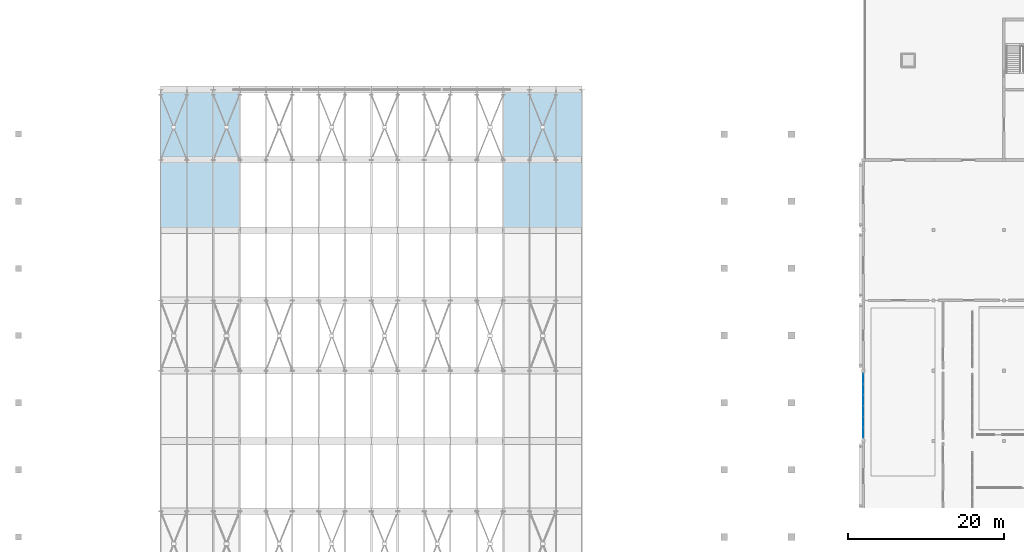
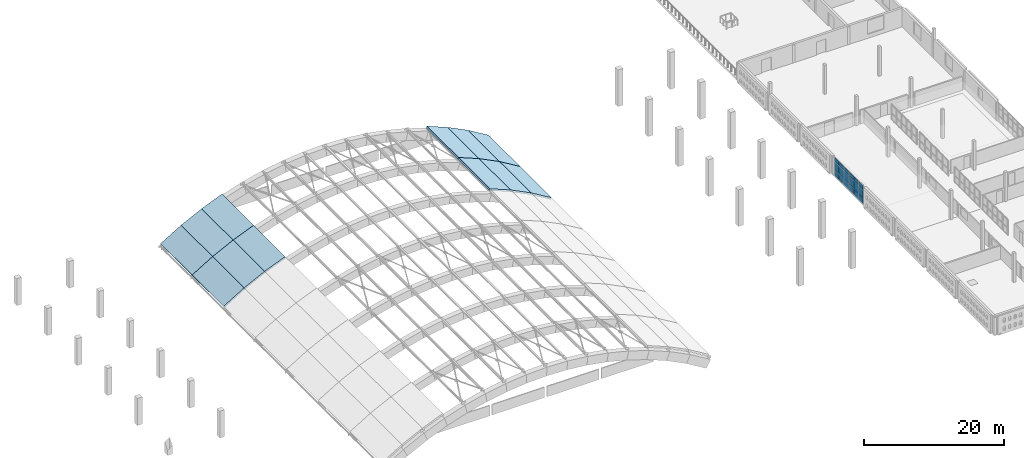
# One storey, part 16 of 30: 18 plates, 12 slabs, 1 element without a shape of its own.
"""IFC4 building model written with IfcOpenShell, lengths in metres."""

from ifc_helpers import new_model, si_unit, direction, frame, origin, origin_2d, place, context, subcontext, project, spatial, polyline, rectangle, outline, extrude, material, layer, layer_set, type_object, element, aggregate, save


model = new_model("IFC4")

# Units and contexts
model_context = context("Model", 3, precision=1e-05, world=origin(), true_north=direction((0.0, 1.0)))
body_context = subcontext(model_context, "Body", "Model", "MODEL_VIEW")
ifc_project = project(units=[si_unit("LENGTHUNIT", "METRE"), si_unit("AREAUNIT", "SQUARE_METRE"), si_unit("VOLUMEUNIT", "CUBIC_METRE"), si_unit("PLANEANGLEUNIT", "RADIAN"), si_unit("MASSUNIT", "GRAM", prefix="KILO")], contexts=[model_context])

# Site, building, storey
site_placement = place(None, origin())
site = spatial("IfcSite", under=ifc_project, at=site_placement, CompositionType="ELEMENT")
building_placement = place(site_placement, origin())
building = spatial("IfcBuilding", under=site, at=building_placement, Name="Ornek Quay Market", CompositionType="ELEMENT")
storey_placement = place(building_placement, frame((0.0, 0.0, 12.0)))
storey = spatial("IfcBuildingStorey", under=building, at=storey_placement, Name="L03", CompositionType="ELEMENT", Elevation=12.0)

# Curtain wall, plates
ifc_material_1 = material(Name="Anodised bronze aluminium and triple low-e glass", Category="aluminium")
ifc_layer_1 = layer(ifc_material_1, 0.18994140625, Name="Anodised bronze aluminium and triple low-e glass", Category="aluminium")
ifc_layer_set_1 = layer_set([ifc_layer_1], Name="Anodised bronze aluminium and triple low-e glass")
curtain_wall_type = type_object("IfcCurtainWallType", Name="CW-FC-MOD1500", PredefinedType="USERDEFINED", material=ifc_layer_set_1)
curtain_wall_placement = place(storey_placement, origin())
curtain_wall = element("IfcCurtainWall", 1, at=curtain_wall_placement, inside=storey, type_object=curtain_wall_type, Name="Curtain wall CW-095", ObjectType="CURTAIN WALL", PredefinedType="USERDEFINED")
ifc_material_2 = material(Name="Triple insulated low-e glass", Category="glass")
ifc_layer_2 = layer(ifc_material_2, 0.035888671875, Name="Triple insulated low-e glass", Category="glass")
ifc_layer_set_2 = layer_set([ifc_layer_2], Name="Triple insulated low-e glass")
plate_type = type_object("IfcPlateType", Name="PL-CW-TRIPLE-36", PredefinedType="CURTAIN_PANEL", material=ifc_layer_set_2)
plate_1_placement = place(storey_placement, frame((153.0, 48.05908203125, 0.06494140625), z_axis=(0.0, 0.0, 1.0), x_axis=(0.0, 1.0, 0.0)))
plate_1 = element("IfcPlate", 2, at=plate_1_placement, type_object=plate_type, Name="CW-095 panel 1.1", PredefinedType="CURTAIN_PANEL", context=body_context, shape_type="SweptSolid", body=[
    extrude(rectangle(XDim=1.2783203125, YDim=0.035888671875, at=origin_2d()), origin(), (0.0, 0.0, 1.0), 0.952392578125),
])
plate_2_placement = place(storey_placement, frame((153.0, 48.05908203125, 1.08251953125), z_axis=(0.0, 0.0, 1.0), x_axis=(0.0, 1.0, 0.0)))
plate_2 = element("IfcPlate", 3, at=plate_2_placement, type_object=plate_type, Name="CW-095 panel 1.2", PredefinedType="CURTAIN_PANEL", context=body_context, shape_type="SweptSolid", body=[
    extrude(rectangle(XDim=1.2783203125, YDim=0.035888671875, at=origin_2d()), origin(), (0.0, 0.0, 1.0), 1.31494140625),
])
plate_3_placement = place(storey_placement, frame((153.0, 48.05908203125, 2.462646484375), z_axis=(0.0, 0.0, 1.0), x_axis=(0.0, 1.0, 0.0)))
plate_3 = element("IfcPlate", 4, at=plate_3_placement, type_object=plate_type, Name="CW-095 panel 1.3", PredefinedType="CURTAIN_PANEL", context=body_context, shape_type="SweptSolid", body=[
    extrude(rectangle(XDim=1.2783203125, YDim=0.035888671875, at=origin_2d()), origin(), (0.0, 0.0, 1.0), 0.75244140625),
])
plate_4_placement = place(storey_placement, frame((153.0, 49.425048828125, 0.06494140625), z_axis=(0.0, 0.0, 1.0), x_axis=(0.0, 1.0, 0.0)))
plate_4 = element("IfcPlate", 5, at=plate_4_placement, type_object=plate_type, Name="CW-095 panel 2.1", PredefinedType="CURTAIN_PANEL", context=body_context, shape_type="SweptSolid", body=[
    extrude(rectangle(XDim=1.313232421875, YDim=0.035888671875, at=origin_2d()), origin(), (0.0, 0.0, 1.0), 0.952392578125),
])
plate_5_placement = place(storey_placement, frame((153.0, 49.425048828125, 1.08251953125), z_axis=(0.0, 0.0, 1.0), x_axis=(0.0, 1.0, 0.0)))
plate_5 = element("IfcPlate", 6, at=plate_5_placement, type_object=plate_type, Name="CW-095 panel 2.2", PredefinedType="CURTAIN_PANEL", context=body_context, shape_type="SweptSolid", body=[
    extrude(rectangle(XDim=1.313232421875, YDim=0.035888671875, at=origin_2d()), origin(), (0.0, 0.0, 1.0), 1.31494140625),
])
plate_6_placement = place(storey_placement, frame((153.0, 49.425048828125, 2.462646484375), z_axis=(0.0, 0.0, 1.0), x_axis=(0.0, 1.0, 0.0)))
plate_6 = element("IfcPlate", 7, at=plate_6_placement, type_object=plate_type, Name="CW-095 panel 2.3", PredefinedType="CURTAIN_PANEL", context=body_context, shape_type="SweptSolid", body=[
    extrude(rectangle(XDim=1.313232421875, YDim=0.035888671875, at=origin_2d()), origin(), (0.0, 0.0, 1.0), 0.75244140625),
])
plate_7_placement = place(storey_placement, frame((153.0, 50.808349609375, 0.06494140625), z_axis=(0.0, 0.0, 1.0), x_axis=(0.0, 1.0, 0.0)))
plate_7 = element("IfcPlate", 8, at=plate_7_placement, type_object=plate_type, Name="CW-095 panel 3.1", PredefinedType="CURTAIN_PANEL", context=body_context, shape_type="SweptSolid", body=[
    extrude(rectangle(XDim=1.313232421875, YDim=0.035888671875, at=origin_2d()), origin(), (0.0, 0.0, 1.0), 0.952392578125),
])
plate_8_placement = place(storey_placement, frame((153.0, 50.808349609375, 1.08251953125), z_axis=(0.0, 0.0, 1.0), x_axis=(0.0, 1.0, 0.0)))
plate_8 = element("IfcPlate", 9, at=plate_8_placement, type_object=plate_type, Name="CW-095 panel 3.2", PredefinedType="CURTAIN_PANEL", context=body_context, shape_type="SweptSolid", body=[
    extrude(rectangle(XDim=1.313232421875, YDim=0.035888671875, at=origin_2d()), origin(), (0.0, 0.0, 1.0), 1.31494140625),
])
plate_9_placement = place(storey_placement, frame((153.0, 50.808349609375, 2.462646484375), z_axis=(0.0, 0.0, 1.0), x_axis=(0.0, 1.0, 0.0)))
plate_9 = element("IfcPlate", 10, at=plate_9_placement, type_object=plate_type, Name="CW-095 panel 3.3", PredefinedType="CURTAIN_PANEL", context=body_context, shape_type="SweptSolid", body=[
    extrude(rectangle(XDim=1.313232421875, YDim=0.035888671875, at=origin_2d()), origin(), (0.0, 0.0, 1.0), 0.75244140625),
])
plate_10_placement = place(storey_placement, frame((153.0, 52.191650390625, 0.06494140625), z_axis=(0.0, 0.0, 1.0), x_axis=(0.0, 1.0, 0.0)))
plate_10 = element("IfcPlate", 11, at=plate_10_placement, type_object=plate_type, Name="CW-095 panel 4.1", PredefinedType="CURTAIN_PANEL", context=body_context, shape_type="SweptSolid", body=[
    extrude(rectangle(XDim=1.313232421875, YDim=0.035888671875, at=origin_2d()), origin(), (0.0, 0.0, 1.0), 0.952392578125),
])
plate_11_placement = place(storey_placement, frame((153.0, 52.191650390625, 1.08251953125), z_axis=(0.0, 0.0, 1.0), x_axis=(0.0, 1.0, 0.0)))
plate_11 = element("IfcPlate", 12, at=plate_11_placement, type_object=plate_type, Name="CW-095 panel 4.2", PredefinedType="CURTAIN_PANEL", context=body_context, shape_type="SweptSolid", body=[
    extrude(rectangle(XDim=1.313232421875, YDim=0.035888671875, at=origin_2d()), origin(), (0.0, 0.0, 1.0), 1.31494140625),
])
plate_12_placement = place(storey_placement, frame((153.0, 52.191650390625, 2.462646484375), z_axis=(0.0, 0.0, 1.0), x_axis=(0.0, 1.0, 0.0)))
plate_12 = element("IfcPlate", 13, at=plate_12_placement, type_object=plate_type, Name="CW-095 panel 4.3", PredefinedType="CURTAIN_PANEL", context=body_context, shape_type="SweptSolid", body=[
    extrude(rectangle(XDim=1.313232421875, YDim=0.035888671875, at=origin_2d()), origin(), (0.0, 0.0, 1.0), 0.75244140625),
])
plate_13_placement = place(storey_placement, frame((153.0, 53.574951171875, 0.06494140625), z_axis=(0.0, 0.0, 1.0), x_axis=(0.0, 1.0, 0.0)))
plate_13 = element("IfcPlate", 14, at=plate_13_placement, type_object=plate_type, Name="CW-095 panel 5.1", PredefinedType="CURTAIN_PANEL", context=body_context, shape_type="SweptSolid", body=[
    extrude(rectangle(XDim=1.313232421875, YDim=0.035888671875, at=origin_2d()), origin(), (0.0, 0.0, 1.0), 0.952392578125),
])
plate_14_placement = place(storey_placement, frame((153.0, 53.574951171875, 1.08251953125), z_axis=(0.0, 0.0, 1.0), x_axis=(0.0, 1.0, 0.0)))
plate_14 = element("IfcPlate", 15, at=plate_14_placement, type_object=plate_type, Name="CW-095 panel 5.2", PredefinedType="CURTAIN_PANEL", context=body_context, shape_type="SweptSolid", body=[
    extrude(rectangle(XDim=1.313232421875, YDim=0.035888671875, at=origin_2d()), origin(), (0.0, 0.0, 1.0), 1.31494140625),
])
plate_15_placement = place(storey_placement, frame((153.0, 53.574951171875, 2.462646484375), z_axis=(0.0, 0.0, 1.0), x_axis=(0.0, 1.0, 0.0)))
plate_15 = element("IfcPlate", 16, at=plate_15_placement, type_object=plate_type, Name="CW-095 panel 5.3", PredefinedType="CURTAIN_PANEL", context=body_context, shape_type="SweptSolid", body=[
    extrude(rectangle(XDim=1.313232421875, YDim=0.035888671875, at=origin_2d()), origin(), (0.0, 0.0, 1.0), 0.75244140625),
])
plate_16_placement = place(storey_placement, frame((153.0, 54.94091796875, 0.06494140625), z_axis=(0.0, 0.0, 1.0), x_axis=(0.0, 1.0, 0.0)))
plate_16 = element("IfcPlate", 17, at=plate_16_placement, type_object=plate_type, Name="CW-095 panel 6.1", PredefinedType="CURTAIN_PANEL", context=body_context, shape_type="SweptSolid", body=[
    extrude(rectangle(XDim=1.2783203125, YDim=0.035888671875, at=origin_2d()), origin(), (0.0, 0.0, 1.0), 0.952392578125),
])
plate_17_placement = place(storey_placement, frame((153.0, 54.94091796875, 1.08251953125), z_axis=(0.0, 0.0, 1.0), x_axis=(0.0, 1.0, 0.0)))
plate_17 = element("IfcPlate", 18, at=plate_17_placement, type_object=plate_type, Name="CW-095 panel 6.2", PredefinedType="CURTAIN_PANEL", context=body_context, shape_type="SweptSolid", body=[
    extrude(rectangle(XDim=1.2783203125, YDim=0.035888671875, at=origin_2d()), origin(), (0.0, 0.0, 1.0), 1.31494140625),
])
plate_18_placement = place(storey_placement, frame((153.0, 54.94091796875, 2.462646484375), z_axis=(0.0, 0.0, 1.0), x_axis=(0.0, 1.0, 0.0)))
plate_18 = element("IfcPlate", 19, at=plate_18_placement, type_object=plate_type, Name="CW-095 panel 6.3", PredefinedType="CURTAIN_PANEL", context=body_context, shape_type="SweptSolid", body=[
    extrude(rectangle(XDim=1.2783203125, YDim=0.035888671875, at=origin_2d()), origin(), (0.0, 0.0, 1.0), 0.75244140625),
])
aggregate(curtain_wall, [plate_1, plate_2, plate_3, plate_4, plate_5, plate_6, plate_7, plate_8, plate_9, plate_10, plate_11, plate_12, plate_13, plate_14, plate_15, plate_16, plate_17, plate_18])

# Slabs
ifc_material_3 = material(Name="Concrete C45/55", Category="concrete")
ifc_layer_3 = layer(ifc_material_3, 0.2900390625, Name="Concrete C45/55", Category="concrete")
ifc_layer_set_3 = layer_set([ifc_layer_3], Name="Concrete C45/55")
slab_type = type_object("IfcSlabType", Name="SL-VLT-SHELL-290", PredefinedType="ROOF", material=ifc_layer_set_3)
slab_1_placement = place(storey_placement, frame((63.0, 74.0, -2.409912109375), z_axis=(-0.516434771675, 0.0, 0.856326530364), x_axis=(0.856326530364, 0.0, 0.516434771675)))
element("IfcSlab", 20, at=slab_1_placement, inside=storey, type_object=slab_type, Name="Sloped roof slab S-161 (L03)", PredefinedType="ROOF", context=body_context, shape_type="SweptSolid", body=[
    extrude(outline(polyline([(0.0, 0.0), (3.9412535759776235, 0.0), (3.9412535759776235, 9.0), (0.0, 9.0), (0.0, 0.0)])), origin(), (0.0, 0.0, -1.0), 0.2900390625),
])
slab_2_placement = place(storey_placement, frame((66.375, 74.0, -0.37451171875), z_axis=(-0.447575811248, 0.0, 0.894245991428), x_axis=(0.894245991428, 0.0, 0.447575811248)))
element("IfcSlab", 21, at=slab_2_placement, inside=storey, type_object=slab_type, Name="Sloped roof slab S-162 (L03)", PredefinedType="ROOF", context=body_context, shape_type="SweptSolid", body=[
    extrude(outline(polyline([(0.0, 0.0), (3.774129302619774, 0.0), (3.774129302619774, 9.000000000000002), (0.0, 9.000000000000002), (0.0, 0.0)])), origin(), (0.0, 0.0, -1.0), 0.2900390625),
])
for number, where, z_axis, x_axis, name in (
    (22, (69.75, 74.0, 1.314697265625), (-0.378731904742, 0.0, 0.925506425872), (0.925506425872, 0.0, 0.378731904742), "Sloped roof slab S-163 (L03)"),
    (23, (106.875, 74.0, 2.69580078125), (0.378731904742, 0.0, 0.925506425872), (0.925506425872, 0.0, -0.378731904742), "Sloped roof slab S-174 (L03)"),
):
    element("IfcSlab", number, at=place(storey_placement, frame(where, z_axis=z_axis, x_axis=x_axis)), inside=storey, type_object=slab_type, Name=name, PredefinedType="ROOF", context=body_context, shape_type="SweptSolid", body=[
        extrude(outline(polyline([(0.0, 0.0), (3.646652152436771, 0.0), (3.646652152436771, 9.0), (0.0, 9.0), (0.0, 0.0)])), origin(), (0.0, 0.0, -1.0), 0.2900390625),
    ])
slab_3_placement = place(storey_placement, frame((110.25, 74.0, 1.314697265625), z_axis=(0.447575811248, 0.0, 0.894245991428), x_axis=(0.894245991428, 0.0, -0.447575811248)))
element("IfcSlab", 24, at=slab_3_placement, inside=storey, type_object=slab_type, Name="Sloped roof slab S-175 (L03)", PredefinedType="ROOF", context=body_context, shape_type="SweptSolid", body=[
    extrude(outline(polyline([(0.0, 0.0), (3.774129302619774, 0.0), (3.774129302619774, 9.000000000000002), (0.0, 9.000000000000002), (0.0, 0.0)])), origin(), (0.0, 0.0, -1.0), 0.2900390625),
])
for number, where, z_axis, x_axis, name in (
    (25, (113.625, 74.0, -0.37451171875), (0.516434771675, 0.0, 0.856326530364), (0.856326530364, 0.0, -0.516434771675), "Sloped roof slab S-176 (L03)"),
    (26, (63.0, 83.0, -2.409912109375), (-0.516434771675, 0.0, 0.856326530364), (0.856326530364, 0.0, 0.516434771675), "Sloped roof slab S-177 (L03)"),
):
    element("IfcSlab", number, at=place(storey_placement, frame(where, z_axis=z_axis, x_axis=x_axis)), inside=storey, type_object=slab_type, Name=name, PredefinedType="ROOF", context=body_context, shape_type="SweptSolid", body=[
        extrude(outline(polyline([(0.0, 0.0), (3.9412535759776235, 0.0), (3.9412535759776235, 9.0), (0.0, 9.0), (0.0, 0.0)])), origin(), (0.0, 0.0, -1.0), 0.2900390625),
    ])
slab_4_placement = place(storey_placement, frame((66.375, 83.0, -0.37451171875), z_axis=(-0.447575811248, 0.0, 0.894245991428), x_axis=(0.894245991428, 0.0, 0.447575811248)))
element("IfcSlab", 27, at=slab_4_placement, inside=storey, type_object=slab_type, Name="Sloped roof slab S-178 (L03)", PredefinedType="ROOF", context=body_context, shape_type="SweptSolid", body=[
    extrude(outline(polyline([(0.0, 0.0), (3.774129302619774, 0.0), (3.774129302619774, 9.000000000000002), (0.0, 9.000000000000002), (0.0, 0.0)])), origin(), (0.0, 0.0, -1.0), 0.2900390625),
])
for number, where, z_axis, x_axis, name in (
    (28, (69.75, 83.0, 1.314697265625), (-0.378731904742, 0.0, 0.925506425872), (0.925506425872, 0.0, 0.378731904742), "Sloped roof slab S-179 (L03)"),
    (29, (106.875, 83.0, 2.69580078125), (0.378731904742, 0.0, 0.925506425872), (0.925506425872, 0.0, -0.378731904742), "Sloped roof slab S-190 (L03)"),
):
    element("IfcSlab", number, at=place(storey_placement, frame(where, z_axis=z_axis, x_axis=x_axis)), inside=storey, type_object=slab_type, Name=name, PredefinedType="ROOF", context=body_context, shape_type="SweptSolid", body=[
        extrude(outline(polyline([(0.0, 0.0), (3.646652152436771, 0.0), (3.646652152436771, 9.0), (0.0, 9.0), (0.0, 0.0)])), origin(), (0.0, 0.0, -1.0), 0.2900390625),
    ])
slab_5_placement = place(storey_placement, frame((110.25, 83.0, 1.314697265625), z_axis=(0.447575811248, 0.0, 0.894245991428), x_axis=(0.894245991428, 0.0, -0.447575811248)))
element("IfcSlab", 30, at=slab_5_placement, inside=storey, type_object=slab_type, Name="Sloped roof slab S-191 (L03)", PredefinedType="ROOF", context=body_context, shape_type="SweptSolid", body=[
    extrude(outline(polyline([(0.0, 0.0), (3.774129302619774, 0.0), (3.774129302619774, 9.000000000000002), (0.0, 9.000000000000002), (0.0, 0.0)])), origin(), (0.0, 0.0, -1.0), 0.2900390625),
])
slab_6_placement = place(storey_placement, frame((113.625, 83.0, -0.37451171875), z_axis=(0.516434771675, 0.0, 0.856326530364), x_axis=(0.856326530364, 0.0, -0.516434771675)))
element("IfcSlab", 31, at=slab_6_placement, inside=storey, type_object=slab_type, Name="Sloped roof slab S-192 (L03)", PredefinedType="ROOF", context=body_context, shape_type="SweptSolid", body=[
    extrude(outline(polyline([(0.0, 0.0), (3.9412535759776235, 0.0), (3.9412535759776235, 9.0), (0.0, 9.0), (0.0, 0.0)])), origin(), (0.0, 0.0, -1.0), 0.2900390625),
])

save(model, "model.ifc")
